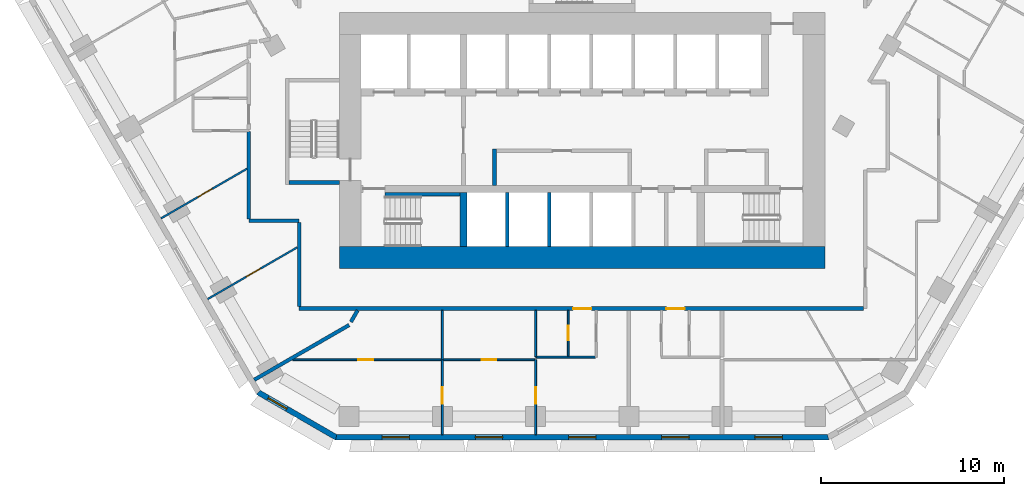
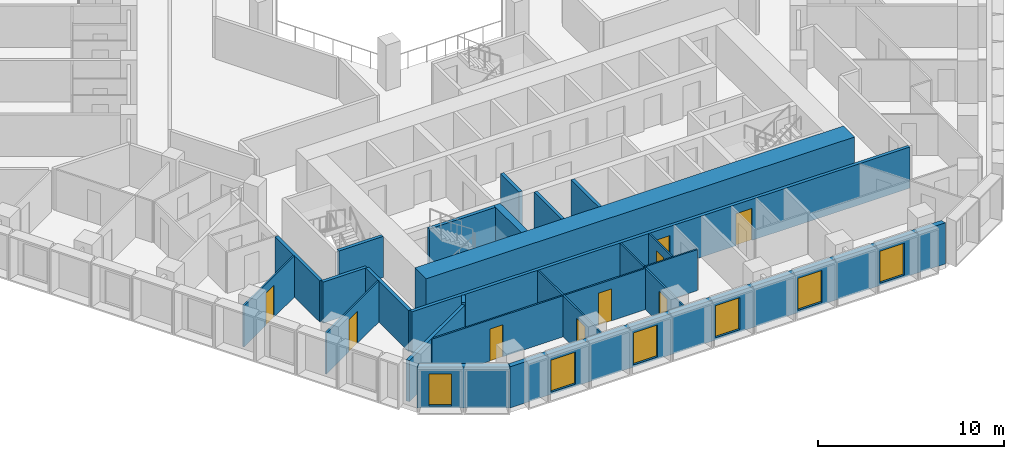
# One storey, part 3 of 16: 24 walls, 9 doors, 6 windows, 15 openings.
"""IFC4 building model written with IfcOpenShell, lengths in metres."""

from ifc_helpers import new_model, si_unit, direction, frame, frame_2d, origin, place, context, subcontext, project, spatial, polyline, rectangle, outline, extrude, material, layer, layer_set, type_object, element, fill, save


model = new_model("IFC4")

# Units and contexts
model_context = context("Model", 3, precision=1e-05, world=origin(), true_north=direction((0.0, 1.0)))
body_context = subcontext(model_context, "Body", "Model", "MODEL_VIEW")
ifc_project = project(units=[si_unit("LENGTHUNIT", "METRE"), si_unit("AREAUNIT", "SQUARE_METRE"), si_unit("VOLUMEUNIT", "CUBIC_METRE"), si_unit("PLANEANGLEUNIT", "RADIAN"), si_unit("MASSUNIT", "GRAM", prefix="KILO")], contexts=[model_context])

# Site, building, storey
site_placement = place(None, origin())
site = spatial("IfcSite", under=ifc_project, at=site_placement, CompositionType="ELEMENT")
building_placement = place(site_placement, origin())
building = spatial("IfcBuilding", under=site, at=building_placement, Name="Beryl Residences", CompositionType="ELEMENT")
storey_placement = place(building_placement, frame((0.0, 0.0, 26.39990234375)))
storey = spatial("IfcBuildingStorey", under=building, at=storey_placement, Name="L07", CompositionType="ELEMENT", Elevation=26.39990234375)

# Wall, opening, window
ifc_material_1 = material(Name="Composite metal panel with mineral wool insulation")
ifc_layer_1 = layer(ifc_material_1, 0.300048828125)
ifc_layer_set_1 = layer_set([ifc_layer_1], Name="ES1 pale metal composite panel wall 300 mm")
wall_type_1 = type_object("IfcWallType", Name="ES1 pale metal composite panel wall 300 mm", PredefinedType="SOLIDWALL", material=ifc_layer_set_1)
wall_1_placement = place(storey_placement, frame((-17.764892578125, -25.77001953125, 0.0), z_axis=(0.0, 0.0, 1.0), x_axis=(0.866010750942, -0.50002537861, 0.0)))
wall_1 = element("IfcWall", 1, at=wall_1_placement, inside=storey, type_object=wall_type_1, Name="ES1 external wall L07 SW-S", PredefinedType="SOLIDWALL", context=body_context, shape_type="SweptSolid", body=[
    extrude(outline(polyline([(0.0, -0.14990234375), (4.999755859375, -0.14990234375), (4.91943359375, 0.14990234375), (0.080322265625, 0.14990234375), (0.0, -0.14990234375)])), origin(), (0.0, 0.0, 1.0), 2.7001953125),
])
opening_1_placement = place(wall_1_placement, frame((0.64990234375, 0.0, 0.14990234375)))
opening_1 = element("IfcOpeningElement", 2, at=opening_1_placement, cuts=wall_1, Name="Opening W2", PredefinedType="OPENING", context=body_context, shape_type="SweptSolid", body=[
    extrude(rectangle(XDim=1.199951171875, YDim=2.10009765625, at=frame_2d((0.60009765625, 1.050048828125))), frame((0.0, 0.159912109375, 0.0), z_axis=(0.0, -1.0, 0.0), x_axis=(1.0, 0.0, 0.0)), (0.0, 0.0, 1.0), 0.320068359375),
])
ifc_material_2 = material(Name="Aluminium and clear glass", Category="aluminium")
window_type_1 = type_object("IfcWindowType", Name="W2 chamfer window 1200 x 2100 mm", PartitioningType="SINGLE_PANEL", PredefinedType="WINDOW", material=ifc_material_2)
window_1_placement = place(opening_1_placement, origin())
window_1 = element("IfcWindow", 3, at=window_1_placement, inside=storey, type_object=window_type_1, Name="W2 window L07 SW-S 1", OverallHeight=2.10009765625, OverallWidth=1.199951171875, PartitioningType="SINGLE_PANEL", PredefinedType="WINDOW", context=body_context, shape_type="SweptSolid", body=[
    extrude(rectangle(XDim=1.199951171875, YDim=2.10009765625, at=frame_2d((0.60009765625, 1.050048828125))), frame((0.0, 0.030029296875, 0.0), z_axis=(0.0, -1.0, 0.0), x_axis=(1.0, 0.0, 0.0)), (0.0, 0.0, 1.0), 0.06005859375),
])
fill(opening_1, window_1)

# Wall, openings, windows
wall_2_placement = place(storey_placement, frame((-13.510009765625, -28.25, 0.0), z_axis=(0.0, 0.0, 1.0), x_axis=(1.0, 0.0, 0.0)))
wall_2 = element("IfcWall", 4, at=wall_2_placement, inside=storey, type_object=wall_type_1, Name="ES1 external wall L07 S", PredefinedType="SOLIDWALL", context=body_context, shape_type="SweptSolid", body=[
    extrude(outline(polyline([(0.0, -0.14990234375), (27.02001953125, -0.14990234375), (26.939697265625, 0.14990234375), (0.080322265625, 0.14990234375), (0.0, -0.14990234375)])), origin(), (0.0, 0.0, 1.0), 2.7001953125),
])
opening_2_placement = place(wall_2_placement, frame((2.552978515625, 0.0, 0.14990234375)))
opening_2 = element("IfcOpeningElement", 5, at=opening_2_placement, cuts=wall_2, Name="Opening W1", PredefinedType="OPENING", context=body_context, shape_type="SweptSolid", body=[
    extrude(rectangle(XDim=1.5, YDim=2.10009765625, at=frame_2d((0.75, 1.050048828125))), frame((0.0, 0.159912109375, 0.0), z_axis=(0.0, -1.0, 0.0), x_axis=(1.0, 0.0, 0.0)), (0.0, 0.0, 1.0), 0.320068359375),
])
opening_3_placement = place(wall_2_placement, frame((7.656982421875, 0.0, 0.14990234375)))
opening_3 = element("IfcOpeningElement", 6, at=opening_3_placement, cuts=wall_2, Name="Opening W1", PredefinedType="OPENING", context=body_context, shape_type="SweptSolid", body=[
    extrude(rectangle(XDim=1.5, YDim=2.10009765625, at=frame_2d((0.75, 1.050048828125))), frame((0.0, 0.159912109375, 0.0), z_axis=(0.0, -1.0, 0.0), x_axis=(1.0, 0.0, 0.0)), (0.0, 0.0, 1.0), 0.320068359375),
])
opening_4_placement = place(wall_2_placement, frame((12.760986328125, 0.0, 0.14990234375)))
opening_4 = element("IfcOpeningElement", 7, at=opening_4_placement, cuts=wall_2, Name="Opening W1", PredefinedType="OPENING", context=body_context, shape_type="SweptSolid", body=[
    extrude(rectangle(XDim=1.5, YDim=2.10009765625, at=frame_2d((0.75, 1.050048828125))), frame((0.0, 0.159912109375, 0.0), z_axis=(0.0, -1.0, 0.0), x_axis=(1.0, 0.0, 0.0)), (0.0, 0.0, 1.0), 0.320068359375),
])
opening_5_placement = place(wall_2_placement, frame((17.864990234375, 0.0, 0.14990234375)))
opening_5 = element("IfcOpeningElement", 8, at=opening_5_placement, cuts=wall_2, Name="Opening W1", PredefinedType="OPENING", context=body_context, shape_type="SweptSolid", body=[
    extrude(rectangle(XDim=1.5, YDim=2.10009765625, at=frame_2d((0.75, 1.050048828125))), frame((0.0, 0.159912109375, 0.0), z_axis=(0.0, -1.0, 0.0), x_axis=(1.0, 0.0, 0.0)), (0.0, 0.0, 1.0), 0.320068359375),
])
opening_6_placement = place(wall_2_placement, frame((22.968994140625, 0.0, 0.14990234375)))
opening_6 = element("IfcOpeningElement", 9, at=opening_6_placement, cuts=wall_2, Name="Opening W1", PredefinedType="OPENING", context=body_context, shape_type="SweptSolid", body=[
    extrude(rectangle(XDim=1.5, YDim=2.10009765625, at=frame_2d((0.75, 1.050048828125))), frame((0.0, 0.159912109375, 0.0), z_axis=(0.0, -1.0, 0.0), x_axis=(1.0, 0.0, 0.0)), (0.0, 0.0, 1.0), 0.320068359375),
])
ifc_material_3 = material(Name="Aluminium and clear glass", Category="aluminium")
window_type_2 = type_object("IfcWindowType", Name="W1 cell window 1500 x 2100 mm", PartitioningType="SINGLE_PANEL", PredefinedType="WINDOW", material=ifc_material_3)
window_2_placement = place(opening_2_placement, origin())
window_2 = element("IfcWindow", 10, at=window_2_placement, inside=storey, type_object=window_type_2, Name="W1 window L07 S 2", OverallHeight=2.10009765625, OverallWidth=1.5, PartitioningType="SINGLE_PANEL", PredefinedType="WINDOW", context=body_context, shape_type="SweptSolid", body=[
    extrude(rectangle(XDim=1.5, YDim=2.10009765625, at=frame_2d((0.75, 1.050048828125))), frame((0.0, 0.030029296875, 0.0), z_axis=(0.0, -1.0, 0.0), x_axis=(1.0, 0.0, 0.0)), (0.0, 0.0, 1.0), 0.06005859375),
])
fill(opening_2, window_2)
window_3_placement = place(opening_3_placement, origin())
window_3 = element("IfcWindow", 11, at=window_3_placement, inside=storey, type_object=window_type_2, Name="W1 window L07 S 4", OverallHeight=2.10009765625, OverallWidth=1.5, PartitioningType="SINGLE_PANEL", PredefinedType="WINDOW", context=body_context, shape_type="SweptSolid", body=[
    extrude(rectangle(XDim=1.5, YDim=2.10009765625, at=frame_2d((0.75, 1.050048828125))), frame((0.0, 0.030029296875, 0.0), z_axis=(0.0, -1.0, 0.0), x_axis=(1.0, 0.0, 0.0)), (0.0, 0.0, 1.0), 0.06005859375),
])
fill(opening_3, window_3)
window_4_placement = place(opening_4_placement, origin())
window_4 = element("IfcWindow", 12, at=window_4_placement, inside=storey, type_object=window_type_2, Name="W1 window L07 S 6", OverallHeight=2.10009765625, OverallWidth=1.5, PartitioningType="SINGLE_PANEL", PredefinedType="WINDOW", context=body_context, shape_type="SweptSolid", body=[
    extrude(rectangle(XDim=1.5, YDim=2.10009765625, at=frame_2d((0.75, 1.050048828125))), frame((0.0, 0.030029296875, 0.0), z_axis=(0.0, -1.0, 0.0), x_axis=(1.0, 0.0, 0.0)), (0.0, 0.0, 1.0), 0.06005859375),
])
fill(opening_4, window_4)
window_5_placement = place(opening_5_placement, origin())
window_5 = element("IfcWindow", 13, at=window_5_placement, inside=storey, type_object=window_type_2, Name="W1 window L07 S 8", OverallHeight=2.10009765625, OverallWidth=1.5, PartitioningType="SINGLE_PANEL", PredefinedType="WINDOW", context=body_context, shape_type="SweptSolid", body=[
    extrude(rectangle(XDim=1.5, YDim=2.10009765625, at=frame_2d((0.75, 1.050048828125))), frame((0.0, 0.030029296875, 0.0), z_axis=(0.0, -1.0, 0.0), x_axis=(1.0, 0.0, 0.0)), (0.0, 0.0, 1.0), 0.06005859375),
])
fill(opening_5, window_5)
window_6_placement = place(opening_6_placement, origin())
window_6 = element("IfcWindow", 14, at=window_6_placement, inside=storey, type_object=window_type_2, Name="W1 window L07 S 10", OverallHeight=2.10009765625, OverallWidth=1.5, PartitioningType="SINGLE_PANEL", PredefinedType="WINDOW", context=body_context, shape_type="SweptSolid", body=[
    extrude(rectangle(XDim=1.5, YDim=2.10009765625, at=frame_2d((0.75, 1.050048828125))), frame((0.0, 0.030029296875, 0.0), z_axis=(0.0, -1.0, 0.0), x_axis=(1.0, 0.0, 0.0)), (0.0, 0.0, 1.0), 0.06005859375),
])
fill(opening_6, window_6)

# Walls
ifc_material_4 = material(Name="Gypsum board partition on steel studs", Category="steel")
ifc_layer_2 = layer(ifc_material_4, 0.10009765625)
ifc_layer_set_2 = layer_set([ifc_layer_2], Name="PT1 partition 100 mm gypsum board on steel studs")
wall_type_2 = type_object("IfcWallType", Name="PT1 partition 100 mm gypsum board on steel studs", PredefinedType="PARTITIONING", material=ifc_layer_set_2)
wall_3_placement = place(storey_placement, frame((-2.551025390625, -21.300048828125, 0.0), z_axis=(0.0, 0.0, 1.0), x_axis=(0.0, -1.0, 0.0)))
element("IfcWall", 15, at=wall_3_placement, inside=storey, type_object=wall_type_2, Name="Wall PT1 L07 011", PredefinedType="PARTITIONING", context=body_context, shape_type="SweptSolid", body=[
    extrude(rectangle(XDim=2.530029296875, YDim=0.10009765625, at=frame_2d((1.26513671875, 0.0))), origin(), (0.0, 0.0, 1.0), 2.7001953125),
])
wall_4_placement = place(storey_placement, frame((-2.551025390625, -23.860107421875, 0.0), z_axis=(0.0, 0.0, 1.0), x_axis=(1.0, 0.0, 0.0)))
element("IfcWall", 16, at=wall_4_placement, inside=storey, type_object=wall_type_2, Name="Wall PT1 L07 030", PredefinedType="PARTITIONING", context=body_context, shape_type="SweptSolid", body=[
    extrude(rectangle(XDim=3.26708984375, YDim=0.10009765625, at=frame_2d((1.633544921875, 0.0))), origin(), (0.0, 0.0, 1.0), 2.7001953125),
])

# Wall, openings, doors
wall_5_placement = place(storey_placement, frame((-15.847900390625, -24.0, 0.0), z_axis=(0.0, 0.0, 1.0), x_axis=(1.0, 0.0, 0.0)))
wall_5 = element("IfcWall", 17, at=wall_5_placement, inside=storey, type_object=wall_type_2, Name="Wall PT1 L07 032", PredefinedType="PARTITIONING", context=body_context, shape_type="SweptSolid", body=[
    extrude(rectangle(XDim=13.246826171875, YDim=0.10009765625, at=frame_2d((6.62353515625, 0.0))), origin(), (0.0, 0.0, 1.0), 2.7001953125),
])
opening_7_placement = place(wall_5_placement, frame((3.595947265625, 0.0, 0.0)))
opening_7 = element("IfcOpeningElement", 18, at=opening_7_placement, cuts=wall_5, Name="Opening D0429", PredefinedType="OPENING", context=body_context, shape_type="SweptSolid", body=[
    extrude(rectangle(XDim=0.800048828125, YDim=2.10009765625, at=frame_2d((0.39990234375, 1.050048828125))), frame((0.0, 0.06005859375, 0.0), z_axis=(0.0, -1.0, 0.0), x_axis=(1.0, 0.0, 0.0)), (0.0, 0.0, 1.0), 0.1201171875),
])
opening_8_placement = place(wall_5_placement, frame((10.344970703125, 0.0, 0.0)))
opening_8 = element("IfcOpeningElement", 19, at=opening_8_placement, cuts=wall_5, Name="Opening D0430", PredefinedType="OPENING", context=body_context, shape_type="SweptSolid", body=[
    extrude(rectangle(XDim=0.800048828125, YDim=2.10009765625, at=frame_2d((0.39990234375, 1.050048828125))), frame((0.0, 0.06005859375, 0.0), z_axis=(0.0, -1.0, 0.0), x_axis=(1.0, 0.0, 0.0)), (0.0, 0.0, 1.0), 0.1201171875),
])
ifc_material_5 = material(Name="Timber door leaf", Category="wood")
door_type_1 = type_object("IfcDoorType", Name="D3 bathroom door 800 x 2100 mm", OperationType="SINGLE_SWING_LEFT", PredefinedType="DOOR", material=ifc_material_5)
door_1_placement = place(opening_7_placement, origin())
door_1 = element("IfcDoor", 20, at=door_1_placement, inside=storey, type_object=door_type_1, Name="Door D0429 L07 001", OperationType="SINGLE_SWING_LEFT", OverallHeight=2.10009765625, OverallWidth=0.800048828125, PredefinedType="DOOR", context=body_context, shape_type="SweptSolid", body=[
    extrude(rectangle(XDim=0.800048828125, YDim=2.10009765625, at=frame_2d((0.39990234375, 1.050048828125))), frame((0.0, 0.02490234375, 0.0), z_axis=(0.0, -1.0, 0.0), x_axis=(1.0, 0.0, 0.0)), (0.0, 0.0, 1.0), 0.050048828125),
])
fill(opening_7, door_1)
door_2_placement = place(opening_8_placement, origin())
door_2 = element("IfcDoor", 21, at=door_2_placement, inside=storey, type_object=door_type_1, Name="Door D0430 L07 001", OperationType="SINGLE_SWING_RIGHT", OverallHeight=2.10009765625, OverallWidth=0.800048828125, PredefinedType="DOOR", context=body_context, shape_type="SweptSolid", body=[
    extrude(rectangle(XDim=0.800048828125, YDim=2.10009765625, at=frame_2d((0.39990234375, 1.050048828125))), frame((0.0, 0.02490234375, 0.0), z_axis=(0.0, -1.0, 0.0), x_axis=(1.0, 0.0, 0.0)), (0.0, 0.0, 1.0), 0.050048828125),
])
fill(opening_8, door_2)

# Wall, opening, door
wall_6_placement = place(storey_placement, frame((-0.764892578125, -23.81005859375, 0.0), z_axis=(0.0, 0.0, 1.0), x_axis=(0.0, 1.0, 0.0)))
wall_6 = element("IfcWall", 22, at=wall_6_placement, inside=storey, type_object=wall_type_2, Name="Wall PT1 L07 053", PredefinedType="PARTITIONING", context=body_context, shape_type="SweptSolid", body=[
    extrude(rectangle(XDim=2.510009765625, YDim=0.10009765625, at=frame_2d((1.2548828125, 0.0))), origin(), (0.0, 0.0, 1.0), 2.7001953125),
])
opening_9_placement = place(wall_6_placement, frame((0.8798828125, 0.0, 0.0)))
opening_9 = element("IfcOpeningElement", 23, at=opening_9_placement, cuts=wall_6, Name="Opening D0426", PredefinedType="OPENING", context=body_context, shape_type="SweptSolid", body=[
    extrude(rectangle(XDim=0.800048828125, YDim=2.10009765625, at=frame_2d((0.39990234375, 1.050048828125))), frame((0.0, 0.06005859375, 0.0), z_axis=(0.0, -1.0, 0.0), x_axis=(1.0, 0.0, 0.0)), (0.0, 0.0, 1.0), 0.1201171875),
])
door_3_placement = place(opening_9_placement, origin())
door_3 = element("IfcDoor", 24, at=door_3_placement, inside=storey, type_object=door_type_1, Name="Door D0426 L07 001", OperationType="SINGLE_SWING_RIGHT", OverallHeight=2.10009765625, OverallWidth=0.800048828125, PredefinedType="DOOR", context=body_context, shape_type="SweptSolid", body=[
    extrude(rectangle(XDim=0.800048828125, YDim=2.10009765625, at=frame_2d((0.39990234375, 1.050048828125))), frame((0.0, 0.02490234375, 0.0), z_axis=(0.0, -1.0, 0.0), x_axis=(1.0, 0.0, 0.0)), (0.0, 0.0, 1.0), 0.050048828125),
])
fill(opening_9, door_3)

wall_7_placement = place(storey_placement, frame((-7.655029296875, -28.10009765625, 0.0), z_axis=(0.0, 0.0, 1.0), x_axis=(0.0, 1.0, 0.0)))
wall_7 = element("IfcWall", 25, at=wall_7_placement, inside=storey, type_object=wall_type_2, Name="Wall PT1 L07 054", PredefinedType="PARTITIONING", context=body_context, shape_type="SweptSolid", body=[
    extrude(rectangle(XDim=4.10009765625, YDim=0.10009765625, at=frame_2d((2.050048828125, 0.0))), origin(), (0.0, 0.0, 1.0), 2.7001953125),
])
opening_10_placement = place(wall_7_placement, frame((1.699951171875, 0.0, 0.0)))
opening_10 = element("IfcOpeningElement", 26, at=opening_10_placement, cuts=wall_7, Name="Opening D0428", PredefinedType="OPENING", context=body_context, shape_type="SweptSolid", body=[
    extrude(rectangle(XDim=0.89990234375, YDim=2.10009765625, at=frame_2d((0.449951171875, 1.050048828125))), frame((0.0, 0.06005859375, 0.0), z_axis=(0.0, -1.0, 0.0), x_axis=(1.0, 0.0, 0.0)), (0.0, 0.0, 1.0), 0.1201171875),
])
ifc_material_6 = material(Name="Timber door leaf", Category="wood")
door_type_2 = type_object("IfcDoorType", Name="D2 room door 900 x 2100 mm", OperationType="SINGLE_SWING_LEFT", PredefinedType="DOOR", material=ifc_material_6)
door_4_placement = place(opening_10_placement, origin())
door_4 = element("IfcDoor", 27, at=door_4_placement, inside=storey, type_object=door_type_2, Name="Door D0428 L07 001", OperationType="SINGLE_SWING_RIGHT", OverallHeight=2.10009765625, OverallWidth=0.89990234375, PredefinedType="DOOR", context=body_context, shape_type="SweptSolid", body=[
    extrude(rectangle(XDim=0.89990234375, YDim=2.10009765625, at=frame_2d((0.449951171875, 1.050048828125))), frame((0.0, 0.02490234375, 0.0), z_axis=(0.0, -1.0, 0.0), x_axis=(1.0, 0.0, 0.0)), (0.0, 0.0, 1.0), 0.050048828125),
])
fill(opening_10, door_4)

wall_8_placement = place(storey_placement, frame((-2.551025390625, -28.10009765625, 0.0), z_axis=(0.0, 0.0, 1.0), x_axis=(0.0, 1.0, 0.0)))
wall_8 = element("IfcWall", 28, at=wall_8_placement, inside=storey, type_object=wall_type_2, Name="Wall PT1 L07 059", PredefinedType="PARTITIONING", context=body_context, shape_type="SweptSolid", body=[
    extrude(rectangle(XDim=4.10009765625, YDim=0.10009765625, at=frame_2d((2.050048828125, 0.0))), origin(), (0.0, 0.0, 1.0), 2.7001953125),
])
opening_11_placement = place(wall_8_placement, frame((1.699951171875, 0.0, 0.0)))
opening_11 = element("IfcOpeningElement", 29, at=opening_11_placement, cuts=wall_8, Name="Opening D0427", PredefinedType="OPENING", context=body_context, shape_type="SweptSolid", body=[
    extrude(rectangle(XDim=0.89990234375, YDim=2.10009765625, at=frame_2d((0.449951171875, 1.050048828125))), frame((0.0, 0.06005859375, 0.0), z_axis=(0.0, -1.0, 0.0), x_axis=(1.0, 0.0, 0.0)), (0.0, 0.0, 1.0), 0.1201171875),
])
door_5_placement = place(opening_11_placement, origin())
door_5 = element("IfcDoor", 30, at=door_5_placement, inside=storey, type_object=door_type_2, Name="Door D0427 L07 001", OperationType="SINGLE_SWING_LEFT", OverallHeight=2.10009765625, OverallWidth=0.89990234375, PredefinedType="DOOR", context=body_context, shape_type="SweptSolid", body=[
    extrude(rectangle(XDim=0.89990234375, YDim=2.10009765625, at=frame_2d((0.449951171875, 1.050048828125))), frame((0.0, 0.02490234375, 0.0), z_axis=(0.0, -1.0, 0.0), x_axis=(1.0, 0.0, 0.0)), (0.0, 0.0, 1.0), 0.050048828125),
])
fill(opening_11, door_5)

wall_9_placement = place(storey_placement, frame((-20.507080078125, -20.680908203125, 0.0), z_axis=(0.0, 0.0, 1.0), x_axis=(0.866028446103, 0.499994730513, 0.0)))
wall_9 = element("IfcWall", 31, at=wall_9_placement, inside=storey, type_object=wall_type_2, Name="Wall PT1 L07 062", PredefinedType="PARTITIONING", context=body_context, shape_type="SweptSolid", body=[
    extrude(rectangle(XDim=5.666015625, YDim=0.10009765625, at=frame_2d((2.8330078125, 0.0))), origin(), (0.0, 0.0, 1.0), 2.7001953125),
])
opening_12_placement = place(wall_9_placement, frame((2.43994140625, 0.0, 0.0)))
opening_12 = element("IfcOpeningElement", 32, at=opening_12_placement, cuts=wall_9, Name="Opening D0423", PredefinedType="OPENING", context=body_context, shape_type="SweptSolid", body=[
    extrude(rectangle(XDim=0.89990234375, YDim=2.10009765625, at=frame_2d((0.449951171875, 1.050048828125))), frame((0.0, 0.06005859375, 0.0), z_axis=(0.0, -1.0, 0.0), x_axis=(1.0, 0.0, 0.0)), (0.0, 0.0, 1.0), 0.1201171875),
])
door_6_placement = place(opening_12_placement, origin())
door_6 = element("IfcDoor", 33, at=door_6_placement, inside=storey, type_object=door_type_2, Name="Door D0423 L07 001", OperationType="SINGLE_SWING_LEFT", OverallHeight=2.10009765625, OverallWidth=0.89990234375, PredefinedType="DOOR", context=body_context, shape_type="SweptSolid", body=[
    extrude(rectangle(XDim=0.89990234375, YDim=2.10009765625, at=frame_2d((0.449951171875, 1.050048828125))), frame((0.0, 0.02490234375, 0.0), z_axis=(0.0, -1.0, 0.0), x_axis=(1.0, 0.0, 0.0)), (0.0, 0.0, 1.0), 0.050048828125),
])
fill(opening_12, door_6)

wall_10_placement = place(storey_placement, frame((-23.05908203125, -16.260986328125, 0.0), z_axis=(0.0, 0.0, 1.0), x_axis=(0.866004639177, 0.500035963631, 0.0)))
wall_10 = element("IfcWall", 34, at=wall_10_placement, inside=storey, type_object=wall_type_2, Name="Wall PT1 L07 064", PredefinedType="PARTITIONING", context=body_context, shape_type="SweptSolid", body=[
    extrude(rectangle(XDim=5.4375, YDim=0.10009765625, at=frame_2d((2.71875, 0.0))), origin(), (0.0, 0.0, 1.0), 2.7001953125),
])
opening_13_placement = place(wall_10_placement, frame((2.325927734375, 0.0, 0.0)))
opening_13 = element("IfcOpeningElement", 35, at=opening_13_placement, cuts=wall_10, Name="Opening D0422", PredefinedType="OPENING", context=body_context, shape_type="SweptSolid", body=[
    extrude(rectangle(XDim=0.89990234375, YDim=2.10009765625, at=frame_2d((0.449951171875, 1.050048828125))), frame((0.0, 0.06005859375, 0.0), z_axis=(0.0, -1.0, 0.0), x_axis=(1.0, 0.0, 0.0)), (0.0, 0.0, 1.0), 0.1201171875),
])
door_7_placement = place(opening_13_placement, origin())
door_7 = element("IfcDoor", 36, at=door_7_placement, inside=storey, type_object=door_type_2, Name="Door D0422 L07 001", OperationType="SINGLE_SWING_RIGHT", OverallHeight=2.10009765625, OverallWidth=0.89990234375, PredefinedType="DOOR", context=body_context, shape_type="SweptSolid", body=[
    extrude(rectangle(XDim=0.89990234375, YDim=2.10009765625, at=frame_2d((0.449951171875, 1.050048828125))), frame((0.0, 0.02490234375, 0.0), z_axis=(0.0, -1.0, 0.0), x_axis=(1.0, 0.0, 0.0)), (0.0, 0.0, 1.0), 0.050048828125),
])
fill(opening_13, door_7)

# Walls
wall_11_placement = place(storey_placement, frame((-7.655029296875, -24.0, 0.0), z_axis=(0.0, 0.0, 1.0), x_axis=(0.0, 1.0, 0.0)))
element("IfcWall", 37, at=wall_11_placement, inside=storey, type_object=wall_type_2, Name="Wall PT1 L07 075", PredefinedType="PARTITIONING", context=body_context, shape_type="SweptSolid", body=[
    extrude(rectangle(XDim=2.699951171875, YDim=0.10009765625, at=frame_2d((1.35009765625, 0.0))), origin(), (0.0, 0.0, 1.0), 2.7001953125),
])
ifc_material_7 = material(Name="Concrete masonry", Category="masonry")
ifc_layer_3 = layer(ifc_material_7, 0.199951171875)
ifc_layer_set_3 = layer_set([ifc_layer_3], Name="PT13 lobby wall 200 mm")
wall_type_3 = type_object("IfcWallType", Name="PT13 lobby wall 200 mm", PredefinedType="PARTITIONING", material=ifc_layer_set_3)
wall_12_placement = place(storey_placement, frame((-4.800048828125, -14.449951171875, 0.0), z_axis=(0.0, 0.0, 1.0), x_axis=(0.0, 1.0, 0.0)))
element("IfcWall", 38, at=wall_12_placement, inside=storey, type_object=wall_type_3, Name="Lobby wall 07", PredefinedType="PARTITIONING", context=body_context, shape_type="SweptSolid", body=[
    extrude(rectangle(XDim=2.0, YDim=0.199951171875, at=frame_2d((1.0, 0.0))), origin(), (0.0, 0.0, 1.0), 2.7001953125),
])
ifc_material_8 = material(Name="Acoustic double stud gypsum board wall")
ifc_layer_4 = layer(ifc_material_8, 0.199951171875)
ifc_layer_set_4 = layer_set([ifc_layer_4], Name="PT3 party wall 200 mm acoustic double stud")
wall_type_4 = type_object("IfcWallType", Name="PT3 party wall 200 mm acoustic double stud", PredefinedType="PARTITIONING", material=ifc_layer_set_4)
wall_13_placement = place(storey_placement, frame((-12.660888671875, -21.928955078125, 0.0), z_axis=(0.0, 0.0, 1.0), x_axis=(0.499683639304, 0.866207977689, 0.0)))
element("IfcWall", 39, at=wall_13_placement, inside=storey, type_object=wall_type_4, Name="Wall PT3 L07 013", PredefinedType="PARTITIONING", context=body_context, shape_type="SweptSolid", body=[
    extrude(rectangle(XDim=0.72607421875, YDim=0.199951171875, at=frame_2d((0.363037109375, 0.0))), origin(), (0.0, 0.0, 1.0), 2.7001953125),
])
wall_14_placement = place(storey_placement, frame((-17.955078125, -25.10107421875, 0.0), z_axis=(0.0, 0.0, 1.0), x_axis=(0.866039817231, 0.499975034347, 0.0)))
element("IfcWall", 40, at=wall_14_placement, inside=storey, type_object=wall_type_4, Name="Wall PT3 L07 022", PredefinedType="PARTITIONING", context=body_context, shape_type="SweptSolid", body=[
    extrude(rectangle(XDim=5.996337890625, YDim=0.199951171875, at=frame_2d((2.998046875, 0.0))), origin(), (0.0, 0.0, 1.0), 2.7001953125),
])
ifc_material_9 = material(Name="Double stud gypsum board wall")
ifc_layer_5 = layer(ifc_material_9, 0.199951171875)
ifc_layer_set_5 = layer_set([ifc_layer_5], Name="PT4 corridor wall 200 mm double stud")
wall_type_5 = type_object("IfcWallType", Name="PT4 corridor wall 200 mm double stud", PredefinedType="PARTITIONING", material=ifc_layer_set_5)
wall_15_placement = place(storey_placement, frame((-15.5, -16.5, 0.0), z_axis=(0.0, 0.0, 1.0), x_axis=(0.0, -1.0, 0.0)))
element("IfcWall", 41, at=wall_15_placement, inside=storey, type_object=wall_type_5, Name="Wall PT4 L07 007", PredefinedType="PARTITIONING", context=body_context, shape_type="SweptSolid", body=[
    extrude(rectangle(XDim=4.59912109375, YDim=0.199951171875, at=frame_2d((2.299560546875, 0.0))), origin(), (0.0, 0.0, 1.0), 2.7001953125),
])
wall_16_placement = place(storey_placement, frame((-18.25, -11.507080078125, 0.0), z_axis=(0.0, 0.0, 1.0), x_axis=(0.0, -1.0, 0.0)))
element("IfcWall", 42, at=wall_16_placement, inside=storey, type_object=wall_type_5, Name="Wall PT4 L07 008", PredefinedType="PARTITIONING", context=body_context, shape_type="SweptSolid", body=[
    extrude(rectangle(XDim=4.7919921875, YDim=0.199951171875, at=frame_2d((2.39599609375, 0.0))), origin(), (0.0, 0.0, 1.0), 2.7001953125),
])
wall_17_placement = place(storey_placement, frame((-18.2490234375, -16.39990234375, 0.0), z_axis=(0.0, 0.0, 1.0), x_axis=(1.0, 0.0, 0.0)))
element("IfcWall", 43, at=wall_17_placement, inside=storey, type_object=wall_type_5, Name="Wall PT4 L07 012", PredefinedType="PARTITIONING", context=body_context, shape_type="SweptSolid", body=[
    extrude(rectangle(XDim=2.7490234375, YDim=0.199951171875, at=frame_2d((1.37451171875, 0.0))), origin(), (0.0, 0.0, 1.0), 2.7001953125),
])

# Wall, openings, doors
wall_18_placement = place(storey_placement, frame((-15.4990234375, -21.199951171875, 0.0), z_axis=(0.0, 0.0, 1.0), x_axis=(1.0, 0.0, 0.0)))
wall_18 = element("IfcWall", 44, at=wall_18_placement, inside=storey, type_object=wall_type_5, Name="Wall PT4 L07 013", PredefinedType="PARTITIONING", context=body_context, shape_type="SweptSolid", body=[
    extrude(rectangle(XDim=30.89794921875, YDim=0.199951171875, at=frame_2d((15.448974609375, 0.0))), origin(), (0.0, 0.0, 1.0), 2.7001953125),
])
opening_14_placement = place(wall_18_placement, frame((15.0, 0.0, 0.0)))
opening_14 = element("IfcOpeningElement", 45, at=opening_14_placement, cuts=wall_18, Name="Opening D0424", PredefinedType="OPENING", context=body_context, shape_type="SweptSolid", body=[
    extrude(rectangle(XDim=1.0, YDim=2.10009765625, at=frame_2d((0.5, 1.050048828125))), frame((0.0, 0.10986328125, 0.0), z_axis=(0.0, -1.0, 0.0), x_axis=(1.0, 0.0, 0.0)), (0.0, 0.0, 1.0), 0.219970703125),
])
opening_15_placement = place(wall_18_placement, frame((20.10400390625, 0.0, 0.0)))
opening_15 = element("IfcOpeningElement", 46, at=opening_15_placement, cuts=wall_18, Name="Opening D0431", PredefinedType="OPENING", context=body_context, shape_type="SweptSolid", body=[
    extrude(rectangle(XDim=1.0, YDim=2.10009765625, at=frame_2d((0.5, 1.050048828125))), frame((0.0, 0.10986328125, 0.0), z_axis=(0.0, -1.0, 0.0), x_axis=(1.0, 0.0, 0.0)), (0.0, 0.0, 1.0), 0.219970703125),
])
ifc_material_10 = material(Name="Timber door leaf", Category="wood")
door_type_3 = type_object("IfcDoorType", Name="D1 flat entrance door 1000 x 2100 mm", OperationType="SINGLE_SWING_LEFT", PredefinedType="DOOR", material=ifc_material_10)
door_8_placement = place(opening_14_placement, origin())
door_8 = element("IfcDoor", 47, at=door_8_placement, inside=storey, type_object=door_type_3, Name="Door D0424 L07 001", OperationType="SINGLE_SWING_RIGHT", OverallHeight=2.10009765625, OverallWidth=1.0, PredefinedType="DOOR", context=body_context, shape_type="SweptSolid", body=[
    extrude(rectangle(XDim=1.0, YDim=2.10009765625, at=frame_2d((0.5, 1.050048828125))), frame((0.0, 0.02490234375, 0.0), z_axis=(0.0, -1.0, 0.0), x_axis=(1.0, 0.0, 0.0)), (0.0, 0.0, 1.0), 0.050048828125),
])
fill(opening_14, door_8)
door_9_placement = place(opening_15_placement, origin())
door_9 = element("IfcDoor", 48, at=door_9_placement, inside=storey, type_object=door_type_3, Name="Door D0431 L07 001", OperationType="SINGLE_SWING_LEFT", OverallHeight=2.10009765625, OverallWidth=1.0, PredefinedType="DOOR", context=body_context, shape_type="SweptSolid", body=[
    extrude(rectangle(XDim=1.0, YDim=2.10009765625, at=frame_2d((0.5, 1.050048828125))), frame((0.0, 0.02490234375, 0.0), z_axis=(0.0, -1.0, 0.0), x_axis=(1.0, 0.0, 0.0)), (0.0, 0.0, 1.0), 0.050048828125),
])
fill(opening_15, door_9)

# Walls
ifc_material_11 = material(Name="Concrete C40/50", Category="concrete")
ifc_layer_6 = layer(ifc_material_11, 0.199951171875)
ifc_layer_set_6 = layer_set([ifc_layer_6], Name="PT5 stair enclosure wall 200 mm reinforced concrete C40/50")
wall_type_6 = type_object("IfcWallType", Name="PT5 stair enclosure wall 200 mm reinforced concrete C40/50", PredefinedType="SOLIDWALL", material=ifc_layer_set_6)
wall_19_placement = place(storey_placement, frame((-16.050048828125, -14.300048828125, 0.0), z_axis=(0.0, 0.0, 1.0), x_axis=(1.0, 0.0, 0.0)))
element("IfcWall", 49, at=wall_19_placement, inside=storey, type_object=wall_type_6, Name="Stair wall 02", PredefinedType="SOLIDWALL", context=body_context, shape_type="SweptSolid", body=[
    extrude(rectangle(XDim=2.75, YDim=0.199951171875, at=frame_2d((1.375, 0.0))), origin(), (0.0, 0.0, 1.0), 2.7001953125),
])
wall_20_placement = place(storey_placement, frame((-10.800048828125, -14.949951171875, 0.0), z_axis=(0.0, 0.0, 1.0), x_axis=(1.0, 0.0, 0.0)))
element("IfcWall", 50, at=wall_20_placement, inside=storey, type_object=wall_type_6, Name="Stair wall 04", PredefinedType="SOLIDWALL", context=body_context, shape_type="SweptSolid", body=[
    extrude(rectangle(XDim=4.10009765625, YDim=0.199951171875, at=frame_2d((2.050048828125, 0.0))), origin(), (0.0, 0.0, 1.0), 2.7001953125),
])
ifc_material_12 = material(Name="Concrete C40/50", Category="concrete")
ifc_layer_7 = layer(ifc_material_12, 0.199951171875)
ifc_layer_set_7 = layer_set([ifc_layer_7], Name="PT6 lift shaft wall 200 mm reinforced concrete C40/50")
wall_type_7 = type_object("IfcWallType", Name="PT6 lift shaft wall 200 mm reinforced concrete C40/50", PredefinedType="SOLIDWALL", material=ifc_layer_set_7)
for number, where, z_axis, x_axis, name in (
    (51, (-4.10009765625, -17.800048828125, 0.0), (0.0, 0.0, 1.0), (0.0, 1.0, 0.0), "Lift shaft wall 09"),
    (52, (-1.800048828125, -17.800048828125, 0.0), (0.0, 0.0, 1.0), (0.0, 1.0, 0.0), "Lift shaft wall 11"),
):
    element("IfcWall", number, at=place(storey_placement, frame(where, z_axis=z_axis, x_axis=x_axis)), inside=storey, type_object=wall_type_7, Name=name, PredefinedType="SOLIDWALL", context=body_context, shape_type="SweptSolid", body=[
        extrude(rectangle(XDim=2.949951171875, YDim=0.199951171875, at=frame_2d((1.47509765625, 0.0))), origin(), (0.0, 0.0, 1.0), 2.7001953125),
    ])
ifc_material_13 = material(Name="Concrete C80/95", Category="concrete")
ifc_layer_8 = layer(ifc_material_13, 1.199951171875)
ifc_layer_set_8 = layer_set([ifc_layer_8], Name="SW1 core outer wall 1200 mm C80/95")
wall_type_8 = type_object("IfcWallType", Name="SW1 core outer wall 1200 mm C80/95", PredefinedType="SHEAR", material=ifc_layer_set_8)
wall_21_placement = place(storey_placement, frame((-13.300048828125, -18.39990234375, 0.0), z_axis=(0.0, 0.0, 1.0), x_axis=(1.0, 0.0, 0.0)))
element("IfcWall", 53, at=wall_21_placement, inside=storey, type_object=wall_type_8, Name="Core wall S L07", PredefinedType="SHEAR", context=body_context, shape_type="SweptSolid", body=[
    extrude(rectangle(XDim=26.60009765625, YDim=1.199951171875, at=frame_2d((13.300048828125, 0.0))), origin(), (0.0, 0.0, 1.0), 2.7001953125),
])
ifc_material_14 = material(Name="Concrete C80/95", Category="concrete")
ifc_layer_9 = layer(ifc_material_14, 0.39990234375)
ifc_layer_set_9 = layer_set([ifc_layer_9], Name="SW6 core internal wall 400 mm C80/95")
wall_type_9 = type_object("IfcWallType", Name="SW6 core internal wall 400 mm C80/95", PredefinedType="SHEAR", material=ifc_layer_set_9)
wall_22_placement = place(storey_placement, frame((-6.5, -17.800048828125, 0.0), z_axis=(0.0, 0.0, 1.0), x_axis=(0.0, 1.0, 0.0)))
element("IfcWall", 54, at=wall_22_placement, inside=storey, type_object=wall_type_9, Name="Core wall XS1 L07", PredefinedType="SHEAR", context=body_context, shape_type="SweptSolid", body=[
    extrude(rectangle(XDim=2.949951171875, YDim=0.39990234375, at=frame_2d((1.47509765625, 0.0))), origin(), (0.0, 0.0, 1.0), 2.7001953125),
])

save(model, "model.ifc")
